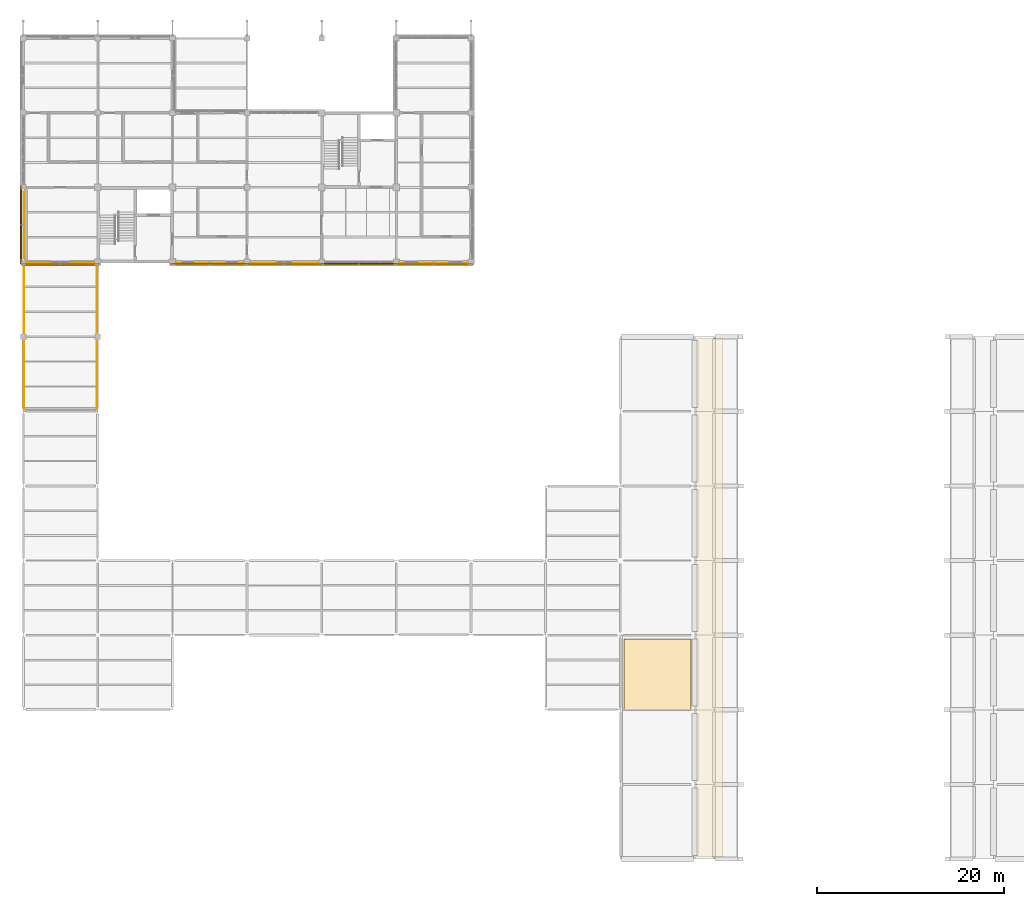
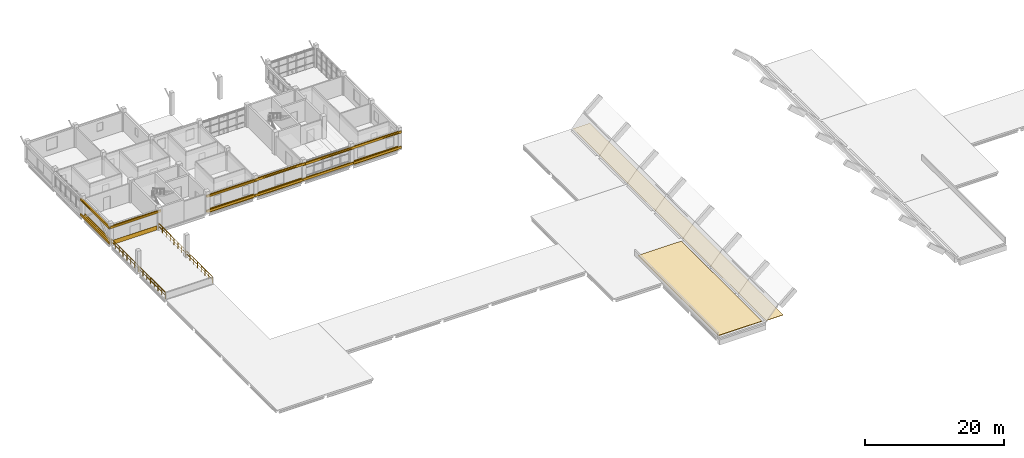
# One storey, part 32 of 35: 18 coverings, 6 shading devices, 4 railings, 2 elements without a shape of their own.
"""IFC4 building model written with IfcOpenShell, lengths in metres."""

from ifc_helpers import new_model, si_unit, derived_unit, direction, frame, origin, origin_2d, place, context, subcontext, project, spatial, polyline, rectangle, circle, outline, extrude, material, layer, layer_set, material_profile, profile_set, type_object, element, aggregate, save


model = new_model("IFC4")

# Units and contexts
model_context = context("Model", 3, precision=1e-05, world=origin(), true_north=direction((0.0, 1.0)))
body_context = subcontext(model_context, "Body", "Model", "MODEL_VIEW")
ifc_project = project(units=[si_unit("LENGTHUNIT", "METRE"), si_unit("AREAUNIT", "SQUARE_METRE"), si_unit("VOLUMEUNIT", "CUBIC_METRE"), si_unit("PLANEANGLEUNIT", "RADIAN"), si_unit("MASSUNIT", "GRAM", prefix="KILO"), derived_unit("THERMALTRANSMITTANCEUNIT", [(si_unit("MASSUNIT", "GRAM", prefix="KILO"), 1), (si_unit("TIMEUNIT", "SECOND"), -3), (si_unit("THERMODYNAMICTEMPERATUREUNIT", "KELVIN"), -1)])], contexts=[model_context])

# Site, building, storey
site_placement = place(None, origin())
site = spatial("IfcSite", under=ifc_project, at=site_placement, CompositionType="ELEMENT")
building_placement = place(site_placement, origin())
building = spatial("IfcBuilding", under=site, at=building_placement, Name="Veyamyaing Civic Hall", CompositionType="ELEMENT")
storey_placement = place(building_placement, frame((0.0, 0.0, 21.780029296875)))
storey = spatial("IfcBuildingStorey", under=building, at=storey_placement, Name="L05", CompositionType="ELEMENT", Elevation=21.780029296875)

# Coverings
ifc_material_1 = material(Name="Buff sandstone ashlar cladding", Category="masonry")
ifc_layer_1 = layer(ifc_material_1, 0.050048828125, Name="Buff sandstone ashlar cladding")
ifc_layer_set_1 = layer_set([ifc_layer_1], Name="Buff sandstone ashlar cladding")
covering_type_1 = type_object("IfcCoveringType", Name="CL-01", PredefinedType="CLADDING", material=ifc_layer_set_1)
covering_1_placement = place(storey_placement, frame((3.97509765625, 87.839111328125, 0.044921875), z_axis=(0.0, 0.0, 1.0), x_axis=(1.0, 0.0, 0.0)))
element("IfcCovering", 1, at=covering_1_placement, inside=storey, type_object=covering_type_1, Name="Facade spandrel cladding CL-01 L05 S 1.12", PredefinedType="CLADDING", context=body_context, shape_type="SweptSolid", body=[
    extrude(rectangle(XDim=7.300048828125, YDim=0.050048828125, at=origin_2d()), origin(), (0.0, 0.0, 1.0), 0.75),
])
covering_2_placement = place(storey_placement, frame((0.138916015625, 92.0, 0.044921875), z_axis=(0.0, 0.0, 1.0), x_axis=(0.0, 1.0, 0.0)))
element("IfcCovering", 2, at=covering_2_placement, inside=storey, type_object=covering_type_1, Name="Facade spandrel cladding CL-01 L05 W 1.12", PredefinedType="CLADDING", context=body_context, shape_type="SweptSolid", body=[
    extrude(rectangle(XDim=7.35009765625, YDim=0.050048828125, at=origin_2d()), origin(), (0.0, 0.0, 1.0), 0.75),
])
covering_3_placement = place(storey_placement, frame((20.02490234375, 87.839111328125, 0.044921875), z_axis=(0.0, 0.0, 1.0), x_axis=(1.0, 0.0, 0.0)))
element("IfcCovering", 3, at=covering_3_placement, inside=storey, type_object=covering_type_1, Name="Facade spandrel cladding CL-01 L05 S 3.12", PredefinedType="CLADDING", context=body_context, shape_type="SweptSolid", body=[
    extrude(rectangle(XDim=7.300048828125, YDim=0.050048828125, at=origin_2d()), origin(), (0.0, 0.0, 1.0), 0.75),
])
ifc_material_2 = material(Name="Turquoise glazed ceramic tile cladding", Category="masonry")
ifc_layer_2 = layer(ifc_material_2, 0.034912109375, Name="Turquoise glazed ceramic tile cladding")
ifc_layer_set_2 = layer_set([ifc_layer_2], Name="Turquoise glazed ceramic tile cladding")
covering_type_2 = type_object("IfcCoveringType", Name="CL-02", PredefinedType="CLADDING", material=ifc_layer_set_2)
for number, where, z_axis, x_axis, name in (
    (4, (28.0, 87.846435546875, 0.044921875), (0.0, 0.0, 1.0), (1.0, 0.0, 0.0), "Facade spandrel cladding CL-02 L05 S 4.12"),
    (5, (44.0, 87.846435546875, 0.044921875), (0.0, 0.0, 1.0), (1.0, 0.0, 0.0), "Facade spandrel cladding CL-02 L05 S 6.12"),
):
    element("IfcCovering", number, at=place(storey_placement, frame(where, z_axis=z_axis, x_axis=x_axis)), inside=storey, type_object=covering_type_2, Name=name, PredefinedType="CLADDING", context=body_context, shape_type="SweptSolid", body=[
        extrude(rectangle(XDim=7.35009765625, YDim=0.034912109375, at=origin_2d()), origin(), (0.0, 0.0, 1.0), 0.75),
    ])
ifc_material_3 = material(Name="White powder-coated aluminium 6063-T6", Category="aluminium")
ifc_layer_3 = layer(ifc_material_3, 0.2099609375, Name="White powder-coated aluminium 6063-T6")
ifc_layer_set_3 = layer_set([ifc_layer_3], Name="White powder-coated aluminium 6063-T6")
covering_type_3 = type_object("IfcCoveringType", Name="CL-03", PredefinedType="CLADDING", material=ifc_layer_set_3)
for number, where, z_axis, x_axis, name in (
    (6, (4.0, 87.760009765625, 3.083984375), (0.0, 0.0, 1.0), (1.0, 0.0, 0.0), "Continuous white head fascia ribbon CL-03 L05 S 1.12"),
    (7, (-0.239990234375, 92.0, 2.925048828125), (0.0, 0.0, 1.0), (0.0, 1.0, 0.0), "Continuous white head fascia ribbon CL-03 L05 W 1.12"),
    (8, (-0.239990234375, 92.0, 0.280029296875), (0.0, 0.0, 1.0), (0.0, 1.0, 0.0), "Continuous white sill fascia ribbon CL-03 L05 W 1.12"),
    (9, (20.0, 87.760009765625, 2.928955078125), (0.0, 0.0, 1.0), (1.0, 0.0, 0.0), "Continuous white head fascia ribbon CL-03 L05 S 3.12"),
    (10, (20.0, 87.760009765625, 0.280029296875), (0.0, 0.0, 1.0), (1.0, 0.0, 0.0), "Continuous white sill fascia ribbon CL-03 L05 S 3.12"),
    (11, (28.0, 87.760009765625, 2.991943359375), (0.0, 0.0, 1.0), (1.0, 0.0, 0.0), "Continuous white head fascia ribbon CL-03 L05 S 4.12"),
    (12, (28.0, 87.760009765625, 0.280029296875), (0.0, 0.0, 1.0), (1.0, 0.0, 0.0), "Continuous white sill fascia ribbon CL-03 L05 S 4.12"),
    (13, (36.0, 87.760009765625, 2.925048828125), (0.0, 0.0, 1.0), (1.0, 0.0, 0.0), "Continuous white head fascia ribbon CL-03 L05 S 5.12"),
    (14, (36.0, 87.760009765625, 0.280029296875), (0.0, 0.0, 1.0), (1.0, 0.0, 0.0), "Continuous white sill fascia ribbon CL-03 L05 S 5.12"),
    (15, (44.0, 87.760009765625, 2.989013671875), (0.0, 0.0, 1.0), (1.0, 0.0, 0.0), "Continuous white head fascia ribbon CL-03 L05 S 6.12"),
    (16, (44.0, 87.760009765625, 0.280029296875), (0.0, 0.0, 1.0), (1.0, 0.0, 0.0), "Continuous white sill fascia ribbon CL-03 L05 S 6.12"),
):
    element("IfcCovering", number, at=place(storey_placement, frame(where, z_axis=z_axis, x_axis=x_axis)), inside=storey, type_object=covering_type_3, Name=name, PredefinedType="CLADDING", context=body_context, shape_type="SweptSolid", body=[
        extrude(rectangle(XDim=8.360107421875, YDim=0.2099609375, at=origin_2d()), origin(), (0.0, 0.0, 1.0), 0.39990234375),
    ])

# Railings
ifc_material_4 = material(Name="Steel S355J2", Category="steel")
railing_type = type_object("IfcRailingType", Name="RL-01", PredefinedType="BALUSTRADE", material=ifc_material_4)
for number, where, name in (
    (17, (0.080078125, 72.360107421875, 0.0), "Planted terrace balustrade RL-01 L05.1"),
    (18, (7.919921875, 72.360107421875, 0.0), "Planted terrace balustrade RL-01 L05.2"),
):
    element("IfcRailing", number, at=place(storey_placement, frame(where)), inside=storey, type_object=railing_type, Name=name, PredefinedType="BALUSTRADE", context=body_context, shape_type="SweptSolid", body=[
        extrude(circle(Radius=0.02392578125, at=origin_2d()), frame((0.0, 0.0, 1.076171875), z_axis=(0.0, 1.0, 0.0), x_axis=(-1.0, 0.0, 0.0)), (0.0, 0.0, 1.0), 7.559814453125),
        extrude(circle(Radius=0.01416015625, at=origin_2d()), frame((0.0, 0.0, 0.572021484375), z_axis=(0.0, 1.0, 0.0), x_axis=(-1.0, 0.0, 0.0)), (0.0, 0.0, 1.0), 7.559814453125),
        extrude(circle(Radius=0.02099609375, at=origin_2d()), origin(), (0.0, 0.0, 1.0), 1.052001953125),
        extrude(circle(Radius=0.02099609375, at=origin_2d()), frame((0.0, 1.080078125, 0.0)), (0.0, 0.0, 1.0), 1.052001953125),
        extrude(circle(Radius=0.02099609375, at=origin_2d()), frame((0.0, 2.159912109375, 0.0)), (0.0, 0.0, 1.0), 1.052001953125),
        extrude(circle(Radius=0.02099609375, at=origin_2d()), frame((0.0, 3.239990234375, 0.0)), (0.0, 0.0, 1.0), 1.052001953125),
        extrude(circle(Radius=0.02099609375, at=origin_2d()), frame((0.0, 4.31982421875, 0.0)), (0.0, 0.0, 1.0), 1.052001953125),
        extrude(circle(Radius=0.02099609375, at=origin_2d()), frame((0.0, 5.39990234375, 0.0)), (0.0, 0.0, 1.0), 1.052001953125),
        extrude(circle(Radius=0.02099609375, at=origin_2d()), frame((0.0, 6.479736328125, 0.0)), (0.0, 0.0, 1.0), 1.052001953125),
        extrude(circle(Radius=0.02099609375, at=origin_2d()), frame((0.0, 7.559814453125, 0.0)), (0.0, 0.0, 1.0), 1.052001953125),
    ])
for number, where, name in (
    (19, (0.080078125, 80.080078125, 0.0), "Planted terrace balustrade RL-01 L05.3"),
    (20, (7.919921875, 80.080078125, 0.0), "Planted terrace balustrade RL-01 L05.4"),
):
    element("IfcRailing", number, at=place(storey_placement, frame(where)), inside=storey, type_object=railing_type, Name=name, PredefinedType="BALUSTRADE", context=body_context, shape_type="SweptSolid", body=[
        extrude(circle(Radius=0.02392578125, at=origin_2d()), frame((0.0, 0.0, 1.076171875), z_axis=(0.0, 1.0, 0.0), x_axis=(-1.0, 0.0, 0.0)), (0.0, 0.0, 1.0), 7.83984375),
        extrude(circle(Radius=0.01416015625, at=origin_2d()), frame((0.0, 0.0, 0.572021484375), z_axis=(0.0, 1.0, 0.0), x_axis=(-1.0, 0.0, 0.0)), (0.0, 0.0, 1.0), 7.83984375),
        extrude(circle(Radius=0.02099609375, at=origin_2d()), origin(), (0.0, 0.0, 1.0), 1.052001953125),
        extrude(circle(Radius=0.02099609375, at=origin_2d()), frame((0.0, 1.119873046875, 0.0)), (0.0, 0.0, 1.0), 1.052001953125),
        extrude(circle(Radius=0.02099609375, at=origin_2d()), frame((0.0, 2.239990234375, 0.0)), (0.0, 0.0, 1.0), 1.052001953125),
        extrude(circle(Radius=0.02099609375, at=origin_2d()), frame((0.0, 3.35986328125, 0.0)), (0.0, 0.0, 1.0), 1.052001953125),
        extrude(circle(Radius=0.02099609375, at=origin_2d()), frame((0.0, 4.47998046875, 0.0)), (0.0, 0.0, 1.0), 1.052001953125),
        extrude(circle(Radius=0.02099609375, at=origin_2d()), frame((0.0, 5.599853515625, 0.0)), (0.0, 0.0, 1.0), 1.052001953125),
        extrude(circle(Radius=0.02099609375, at=origin_2d()), frame((0.0, 6.719970703125, 0.0)), (0.0, 0.0, 1.0), 1.052001953125),
        extrude(circle(Radius=0.02099609375, at=origin_2d()), frame((0.0, 7.83984375, 0.0)), (0.0, 0.0, 1.0), 1.052001953125),
    ])

# Roof, covering
ifc_material_5 = material(Name="Concrete C40/50", Category="concrete")
roof_type_1 = type_object("IfcRoofType", Name="RF-VAULT", PredefinedType="BARREL_ROOF", material=ifc_material_5)
roof_1_placement = place(storey_placement, origin())
roof_1 = element("IfcRoof", 21, at=roof_1_placement, inside=storey, type_object=roof_type_1, Name="Council Chamber Barrel Vault V1", PredefinedType="BARREL_ROOF")
ifc_material_6 = material(Name="Cool-roof insulated membrane waterproofing")
ifc_layer_4 = layer(ifc_material_6, 0.080078125, Name="Cool-roof insulated membrane waterproofing")
ifc_layer_set_4 = layer_set([ifc_layer_4], Name="Cool-roof insulated membrane waterproofing")
covering_type_4 = type_object("IfcCoveringType", Name="RM-01", PredefinedType="ROOFING", material=ifc_layer_set_4)
covering_4_placement = place(storey_placement, frame((0.0, 0.0, 0.02001953125)))
covering_4 = element("IfcCovering", 22, at=covering_4_placement, type_object=covering_type_4, Name="Insulated cool-roof membrane RM-01 L05", PredefinedType="ROOFING", context=body_context, shape_type="SweptSolid", body=[
    extrude(outline(polyline([(72.199951171875, 24.199951171875), (75.0, 24.199951171875), (75.0, 79.800048828125), (72.199951171875, 79.800048828125), (72.199951171875, 24.199951171875)])), origin(), (0.0, 0.0, 1.0), 0.079833984375),
])
aggregate(roof_1, [covering_4])

roof_type_2 = type_object("IfcRoofType", Name="RF-FLAT", PredefinedType="FLAT_ROOF", material=ifc_material_5)
roof_2_placement = place(storey_placement, origin())
roof_2 = element("IfcRoof", 23, at=roof_2_placement, inside=storey, type_object=roof_type_2, Name="Central Block Side Wing Roof Assembly", PredefinedType="FLAT_ROOF")
covering_5_placement = place(storey_placement, origin())
covering_5 = element("IfcCovering", 24, at=covering_5_placement, type_object=covering_type_4, Name="Insulated cool-roof membrane RM-01 L05", PredefinedType="ROOFING", context=body_context, shape_type="SweptSolid", body=[
    extrude(outline(polyline([(64.39990234375, 24.39990234375), (71.60009765625, 24.39990234375), (71.60009765625, 47.60009765625), (64.39990234375, 47.60009765625), (64.39990234375, 24.39990234375)])), origin(), (0.0, 0.0, 1.0), 0.080078125),
])
aggregate(roof_2, [covering_5])

# Shading devices
ifc_material_profile = material_profile(ifc_material_3, circle(Radius=0.090087890625, at=origin_2d()), Name="SHADE-TUBE-180")
ifc_profile_set = profile_set([ifc_material_profile], Name="White powder-coated aluminium 6063-T6")
shading_device_type = type_object("IfcShadingDeviceType", Name="SH-02", PredefinedType="USERDEFINED", material=ifc_profile_set)
shading_device_1_placement = place(storey_placement, frame((0.284912109375, 87.760009765625, 3.243896484375), z_axis=(1.0, 0.0, 0.0), x_axis=(0.0, 1.0, 0.0)))
element("IfcShadingDevice", 25, at=shading_device_1_placement, inside=storey, type_object=shading_device_type, Name="Horizontal white sunshade ribbon SH-02 L05 S 1.12", ObjectType="SUNSHADE", PredefinedType="USERDEFINED", context=body_context, shape_type="SweptSolid", body=[
    extrude(circle(Radius=0.090087890625, at=origin_2d()), origin(), (0.0, 0.0, 1.0), 7.380126953125),
])
shading_device_2_placement = place(storey_placement, frame((-0.239990234375, 88.284912109375, 3.0849609375), z_axis=(0.0, 1.0, 0.0), x_axis=(-1.0, 0.0, 0.0)))
element("IfcShadingDevice", 26, at=shading_device_2_placement, inside=storey, type_object=shading_device_type, Name="Horizontal white sunshade ribbon SH-02 L05 W 1.12", ObjectType="SUNSHADE", PredefinedType="USERDEFINED", context=body_context, shape_type="SweptSolid", body=[
    extrude(circle(Radius=0.090087890625, at=origin_2d()), origin(), (0.0, 0.0, 1.0), 7.43017578125),
])
shading_device_3_placement = place(storey_placement, frame((16.3349609375, 87.760009765625, 3.0888671875), z_axis=(1.0, 0.0, 0.0), x_axis=(0.0, 1.0, 0.0)))
element("IfcShadingDevice", 27, at=shading_device_3_placement, inside=storey, type_object=shading_device_type, Name="Horizontal white sunshade ribbon SH-02 L05 S 3.12", ObjectType="SUNSHADE", PredefinedType="USERDEFINED", context=body_context, shape_type="SweptSolid", body=[
    extrude(circle(Radius=0.090087890625, at=origin_2d()), origin(), (0.0, 0.0, 1.0), 7.380126953125),
])
for number, where, z_axis, x_axis, name in (
    (28, (24.284912109375, 87.760009765625, 3.15185546875), (1.0, 0.0, 0.0), (0.0, 1.0, 0.0), "Horizontal white sunshade ribbon SH-02 L05 S 4.12"),
    (29, (32.284912109375, 87.760009765625, 3.0849609375), (1.0, 0.0, 0.0), (0.0, 1.0, 0.0), "Horizontal white sunshade ribbon SH-02 L05 S 5.12"),
    (30, (40.284912109375, 87.760009765625, 3.14892578125), (1.0, 0.0, 0.0), (0.0, 1.0, 0.0), "Horizontal white sunshade ribbon SH-02 L05 S 6.12"),
):
    element("IfcShadingDevice", number, at=place(storey_placement, frame(where, z_axis=z_axis, x_axis=x_axis)), inside=storey, type_object=shading_device_type, Name=name, ObjectType="SUNSHADE", PredefinedType="USERDEFINED", context=body_context, shape_type="SweptSolid", body=[
        extrude(circle(Radius=0.090087890625, at=origin_2d()), origin(), (0.0, 0.0, 1.0), 7.43017578125),
    ])

save(model, "model.ifc")
